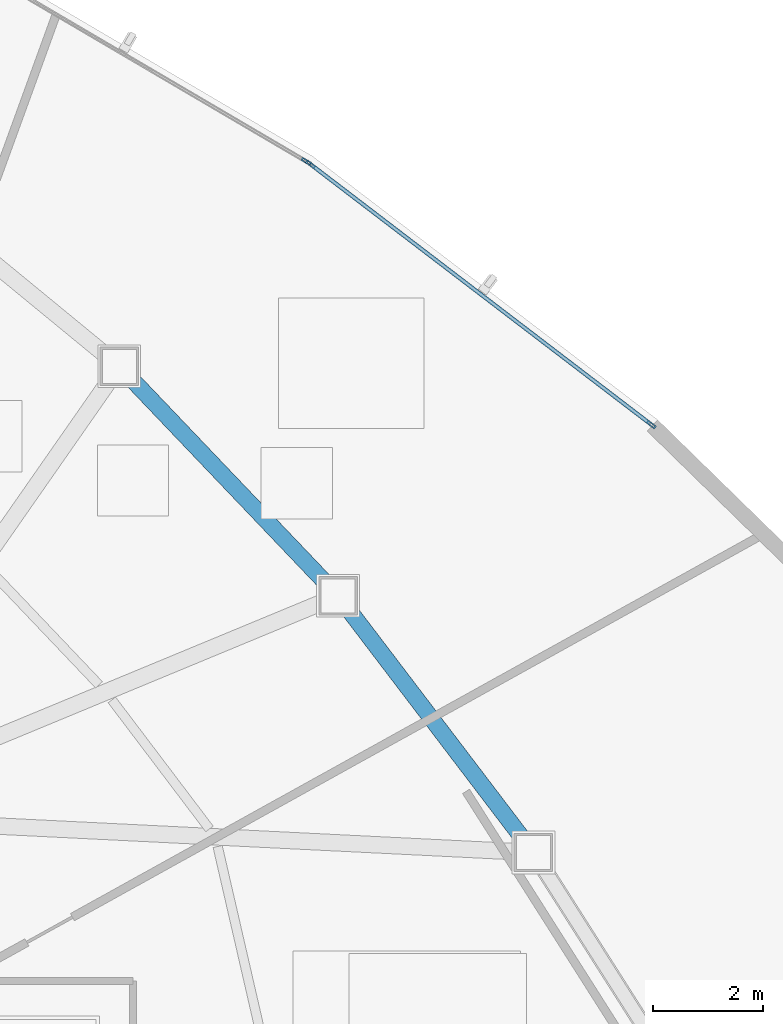
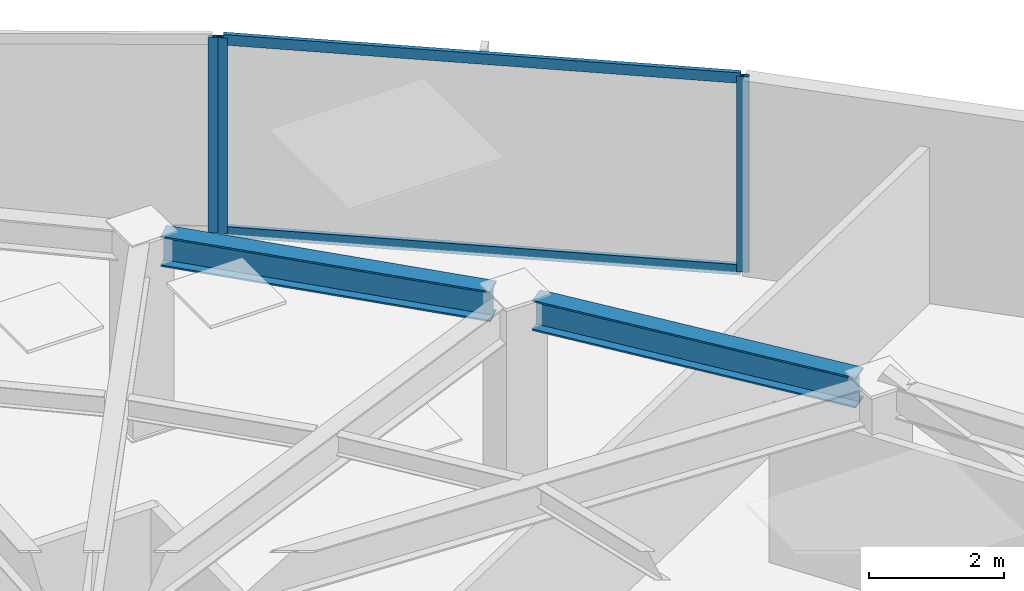
# One storey, part 9 of 17: 5 members, 2 beams, 2 elements without a shape of their own.
"""IFC4 building model written with IfcOpenShell, lengths in metres."""

from ifc_helpers import new_model, si_unit, direction, frame, origin, origin_2d, place, context, subcontext, project, spatial, hollow_rectangle, i_section, extrude, source, transform, mapped, material, layer, layer_set, material_profile, profile_set, type_object, type_shapes, element, aggregate, save


model = new_model("IFC4")

# Units and contexts
model_context = context("Model", 3, precision=1e-05, world=origin(), true_north=direction((0.0, 1.0)))
body_context = subcontext(model_context, "Body", "Model", "MODEL_VIEW")
ifc_project = project(units=[si_unit("LENGTHUNIT", "METRE"), si_unit("AREAUNIT", "SQUARE_METRE"), si_unit("VOLUMEUNIT", "CUBIC_METRE"), si_unit("PLANEANGLEUNIT", "RADIAN"), si_unit("MASSUNIT", "GRAM", prefix="KILO")], contexts=[model_context])

# Site, building, storey
site_placement = place(None, origin())
site = spatial("IfcSite", under=ifc_project, at=site_placement, CompositionType="ELEMENT")
building_placement = place(site_placement, origin())
building = spatial("IfcBuilding", under=site, at=building_placement, Name="Tavelor Broadcast Tower", CompositionType="ELEMENT")
storey_placement = place(building_placement, frame((0.0, 0.0, 142.550048828125)))
storey = spatial("IfcBuildingStorey", under=building, at=storey_placement, Name="L33", CompositionType="ELEMENT", Elevation=142.550048828125)

# Beams
ifc_material_1 = material(Name="Steel S355", Category="steel")
ifc_material_profile_1 = material_profile(ifc_material_1, i_section(OverallWidth=0.300048828125, OverallDepth=0.550048828125, WebThickness=0.014892578125, FlangeThickness=0.029052734375, at=origin_2d()), Name="HEB 550")
ifc_profile_set_1 = profile_set([ifc_material_profile_1], Name="Steel S355")
beam_type = type_object("IfcBeamType", Name="Perimeter Spandrel Beam T3 HEB 550", PredefinedType="SPANDREL", material=ifc_profile_set_1)
beam_1_placement = place(storey_placement, frame((69.6826171875, 50.8115234375, 3.27490234375), z_axis=(-0.605507005058, 0.795839975639, 0.0), x_axis=(-0.795839975639, -0.605507005058, 0.0)))
element("IfcBeam", 1, at=beam_1_placement, inside=storey, type_object=beam_type, Name="L33 Framed-Tube Ring Spandrel 14", PredefinedType="SPANDREL", context=body_context, shape_type="SweptSolid", body=[
    extrude(i_section(OverallWidth=0.300048828125, OverallDepth=0.550048828125, WebThickness=0.014892578125, FlangeThickness=0.029052734375, at=origin_2d()), origin(), (0.0, 0.0, 1.0), 5.214111328125),
])
beam_2_placement = place(storey_placement, frame((66.090087890625, 55.471923828125, 3.27490234375), z_axis=(-0.689928162502, 0.723877842309, 0.0), x_axis=(-0.723877842309, -0.689928162502, 0.0)))
element("IfcBeam", 2, at=beam_2_placement, inside=storey, type_object=beam_type, Name="L33 Framed-Tube Ring Spandrel 15", PredefinedType="SPANDREL", context=body_context, shape_type="SweptSolid", body=[
    extrude(i_section(OverallWidth=0.300048828125, OverallDepth=0.550048828125, WebThickness=0.014892578125, FlangeThickness=0.029052734375, at=origin_2d()), origin(), (0.0, 0.0, 1.0), 5.113037109375),
])

# Curtain wall, members
ifc_material_2 = material(Name="Architectural Anodized Aluminium", Category="aluminium")
ifc_layer = layer(ifc_material_2, 0.18994140625)
ifc_layer_set = layer_set([ifc_layer], Name="Architectural Anodized Aluminium")
curtain_wall_type = type_object("IfcCurtainWallType", Name="Tower Mid-Zone Acoustic Curtain Wall CW03", PredefinedType="NOTDEFINED", material=ifc_layer_set)
curtain_wall_1_placement = place(storey_placement, origin())
curtain_wall_1 = element("IfcCurtainWall", 3, at=curtain_wall_1_placement, inside=storey, type_object=curtain_wall_type, Name="L33 Curtain Wall CW03 Run 345", PredefinedType="NOTDEFINED")
ifc_material_profile_2 = material_profile(ifc_material_2, hollow_rectangle(XDim=0.068115234375, YDim=0.18994140625, WallThickness=0.02197265625, at=origin_2d()), Name="RHS 68x190x22")
ifc_profile_set_2 = profile_set([ifc_material_profile_2], Name="Architectural Anodized Aluminium")
member_type_1 = type_object("IfcMemberType", Name="CW03 Extruded Aluminium Mullion 68x190", PredefinedType="MULLION", material=ifc_profile_set_2)
shared_shape_1 = source(origin(), body_context, "Body", "SweptSolid", [
    extrude(hollow_rectangle(XDim=0.068115234375, YDim=0.18994140625, WallThickness=0.02197265625, at=origin_2d()), origin(), (0.0, 0.0, 1.0), 3.550048828125),
])
type_shapes(member_type_1, [shared_shape_1])
member_1_placement = place(storey_placement, frame((72.03564453125, 58.353759765625, 0.0), z_axis=(0.0, 0.0, 1.0), x_axis=(-0.607034014367, -0.794675849262, 0.0)))
member_1 = element("IfcMember", 4, at=member_1_placement, type_object=member_type_1, Name="CW03 mullion 1", PredefinedType="MULLION", context=body_context, shape_type="MappedRepresentation", body=[
    mapped(shared_shape_1, transform((0.0, 0.0, 0.0), scale=1.0)),
])
member_2_placement = place(storey_placement, frame((65.82177734375, 63.100341796875, 0.0), z_axis=(0.0, 0.0, 1.0), x_axis=(-0.607034014367, -0.794675849262, 0.0)))
member_2 = element("IfcMember", 5, at=member_2_placement, type_object=member_type_1, Name="CW03 mullion 2", PredefinedType="MULLION", context=body_context, shape_type="MappedRepresentation", body=[
    mapped(shared_shape_1, transform((0.0, 0.0, 0.0), scale=1.0)),
])

# Curtain wall, member
curtain_wall_2_placement = place(storey_placement, origin())
curtain_wall_2 = element("IfcCurtainWall", 6, at=curtain_wall_2_placement, inside=storey, type_object=curtain_wall_type, Name="L33 Curtain Wall CW03 Run 346", PredefinedType="NOTDEFINED")
member_3_placement = place(storey_placement, frame((65.740478515625, 63.155029296875, 0.0), z_axis=(0.0, 0.0, 1.0), x_axis=(-0.506401015297, -0.862298099097, 0.0)))
member_3 = element("IfcMember", 7, at=member_3_placement, type_object=member_type_1, Name="CW03 mullion 1", PredefinedType="MULLION", context=body_context, shape_type="MappedRepresentation", body=[
    mapped(shared_shape_1, transform((0.0, 0.0, 0.0), scale=1.0)),
])
aggregate(curtain_wall_2, [member_3])

# Member
ifc_material_profile_3 = material_profile(ifc_material_2, hollow_rectangle(XDim=0.068115234375, YDim=0.18994140625, WallThickness=0.02197265625, at=origin_2d()), Name="RHS 68x190x22")
ifc_profile_set_3 = profile_set([ifc_material_profile_3], Name="Architectural Anodized Aluminium")
member_type_2 = type_object("IfcMemberType", Name="CW03 Extruded Aluminium Transom 68x190", PredefinedType="USERDEFINED", material=ifc_profile_set_3)
shared_shape_2 = source(origin(), body_context, "Body", "SweptSolid", [
    extrude(hollow_rectangle(XDim=0.068115234375, YDim=0.18994140625, WallThickness=0.02197265625, at=origin_2d()), origin(), (0.0, 0.0, 1.0), 7.75146484375),
])
type_shapes(member_type_2, [shared_shape_2])
member_4_placement = place(storey_placement, frame((72.008544921875, 58.374267578125, 0.033935546875), z_axis=(-0.794654547163, 0.607061900199, 0.0), x_axis=(-0.607061900199, -0.794654547163, 0.0)))
member_4 = element("IfcMember", 8, at=member_4_placement, type_object=member_type_2, Name="CW03 transom 1.1", ObjectType="TRANSOM", PredefinedType="USERDEFINED", context=body_context, shape_type="MappedRepresentation", body=[
    mapped(shared_shape_2, transform((0.0, 0.0, 0.0), scale=1.0)),
])

member_5_placement = place(storey_placement, frame((72.008544921875, 58.374267578125, 3.515869140625), z_axis=(-0.794654547163, 0.607061900199, 0.0), x_axis=(-0.607061900199, -0.794654547163, 0.0)))
member_5 = element("IfcMember", 9, at=member_5_placement, type_object=member_type_2, Name="CW03 transom 1.2", ObjectType="TRANSOM", PredefinedType="USERDEFINED", context=body_context, shape_type="MappedRepresentation", body=[
    mapped(shared_shape_2, transform((0.0, 0.0, 0.0), scale=1.0)),
])

aggregate(curtain_wall_1, [member_1, member_2, member_4, member_5])

save(model, "model.ifc")
